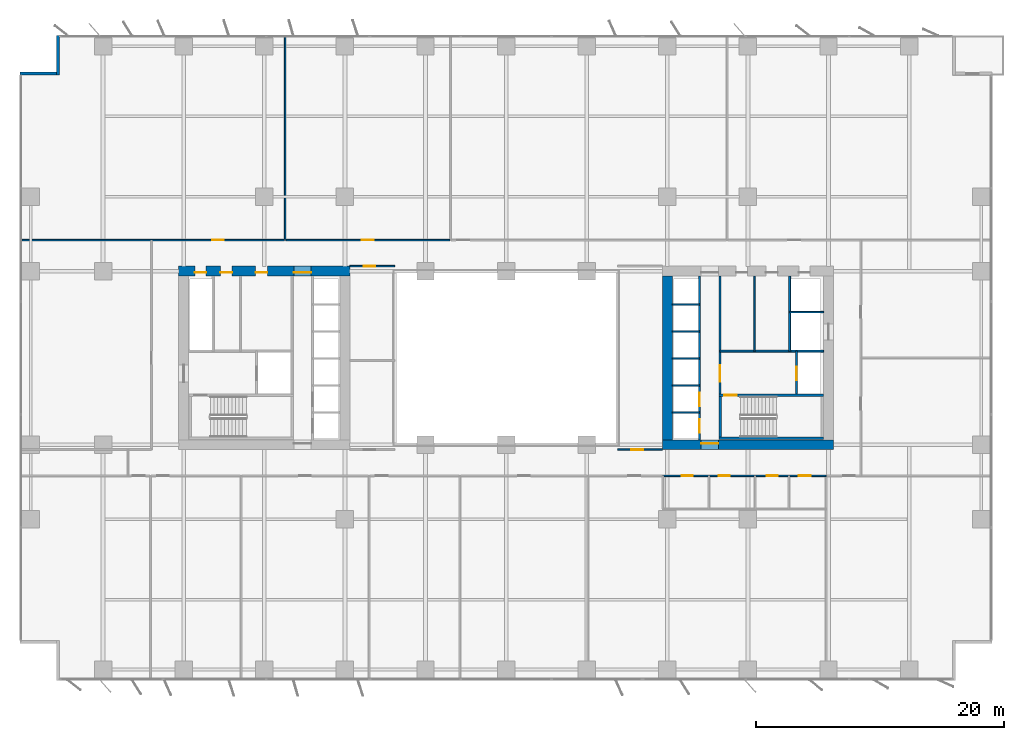
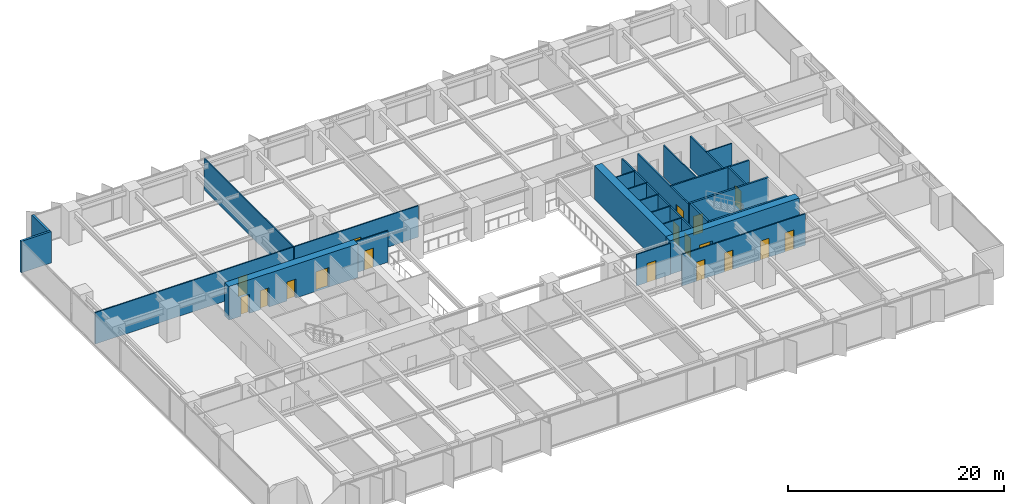
# One storey, part 14 of 20: 26 walls, 18 doors, 18 openings.
"""IFC4 building model written with IfcOpenShell, lengths in metres."""

from ifc_helpers import new_model, si_unit, direction, frame, frame_2d, origin, place, context, subcontext, project, spatial, rectangle, extrude, material, layer, layer_set, type_object, element, fill, save


model = new_model("IFC4")

# Units and contexts
model_context = context("Model", 3, precision=1e-05, world=origin(), true_north=direction((0.0, 1.0)))
body_context = subcontext(model_context, "Body", "Model", "MODEL_VIEW")
ifc_project = project(units=[si_unit("LENGTHUNIT", "METRE"), si_unit("AREAUNIT", "SQUARE_METRE"), si_unit("VOLUMEUNIT", "CUBIC_METRE"), si_unit("PLANEANGLEUNIT", "RADIAN"), si_unit("MASSUNIT", "GRAM", prefix="KILO")], contexts=[model_context])

# Site, building, storey
site_placement = place(None, origin())
site = spatial("IfcSite", under=ifc_project, at=site_placement, CompositionType="ELEMENT")
building_placement = place(site_placement, origin())
building = spatial("IfcBuilding", under=site, at=building_placement, Name="Putna Gate Headquarters", CompositionType="ELEMENT")
storey_placement = place(building_placement, frame((0.0, 0.0, 65.800048828125)))
storey = spatial("IfcBuildingStorey", under=building, at=storey_placement, Name="L15", CompositionType="ELEMENT", Elevation=65.800048828125)

# Wall, openings, doors
ifc_material_1 = material(Name="Concrete C60/75", Category="concrete")
ifc_layer_1 = layer(ifc_material_1, 0.800048828125)
ifc_layer_set_1 = layer_set([ifc_layer_1], Name="Concrete C60/75")
wall_type_1 = type_object("IfcWallType", Name="WALL-CORE-800", PredefinedType="SHEAR", material=ifc_layer_set_1)
wall_1_placement = place(storey_placement, frame((12.60009765625, 33.0, 0.0), z_axis=(0.0, 0.0, 1.0), x_axis=(1.0, 0.0, 0.0)))
wall_1 = element("IfcWall", 1, at=wall_1_placement, inside=storey, type_object=wall_type_1, Name="L15 WC Split Core Shear Wall N", PredefinedType="SHEAR", context=body_context, shape_type="SweptSolid", body=[
    extrude(rectangle(XDim=13.7998046875, YDim=0.800048828125, at=frame_2d((6.89990234375, 0.0))), origin(), (0.0, 0.0, 1.0), 3.800048828125),
])
opening_1_placement = place(wall_1_placement, frame((1.300048828125, 0.0, 0.0)))
opening_1 = element("IfcOpeningElement", 2, at=opening_1_placement, cuts=wall_1, Name="Opening RD-90", PredefinedType="OPENING", context=body_context, shape_type="SweptSolid", body=[
    extrude(rectangle(XDim=0.89990234375, YDim=2.14990234375, at=frame_2d((0.449951171875, 1.074951171875))), frame((0.0, 0.409912109375, 0.0), z_axis=(0.0, -1.0, 0.0), x_axis=(1.0, 0.0, 0.0)), (0.0, 0.0, 1.0), 0.820068359375),
])
opening_2_placement = place(wall_1_placement, frame((3.35009765625, 0.0, 0.0)))
opening_2 = element("IfcOpeningElement", 3, at=opening_2_placement, cuts=wall_1, Name="Opening IDS-95", PredefinedType="OPENING", context=body_context, shape_type="SweptSolid", body=[
    extrude(rectangle(XDim=0.949951171875, YDim=2.14990234375, at=frame_2d((0.47509765625, 1.074951171875))), frame((0.0, 0.409912109375, 0.0), z_axis=(0.0, -1.0, 0.0), x_axis=(1.0, 0.0, 0.0)), (0.0, 0.0, 1.0), 0.820068359375),
])
opening_3_placement = place(wall_1_placement, frame((6.199951171875, 0.0, 0.0)))
opening_3 = element("IfcOpeningElement", 4, at=opening_3_placement, cuts=wall_1, Name="Opening IDS-95", PredefinedType="OPENING", context=body_context, shape_type="SweptSolid", body=[
    extrude(rectangle(XDim=0.949951171875, YDim=2.14990234375, at=frame_2d((0.47509765625, 1.074951171875))), frame((0.0, 0.409912109375, 0.0), z_axis=(0.0, -1.0, 0.0), x_axis=(1.0, 0.0, 0.0)), (0.0, 0.0, 1.0), 0.820068359375),
])
opening_4_placement = place(wall_1_placement, frame((9.280029296875, 0.0, 0.0)))
opening_4 = element("IfcOpeningElement", 5, at=opening_4_placement, cuts=wall_1, Name="Opening FDD-140", PredefinedType="OPENING", context=body_context, shape_type="SweptSolid", body=[
    extrude(rectangle(XDim=1.39990234375, YDim=2.199951171875, at=frame_2d((0.699951171875, 1.10009765625))), frame((0.0, 0.409912109375, 0.0), z_axis=(0.0, -1.0, 0.0), x_axis=(1.0, 0.0, 0.0)), (0.0, 0.0, 1.0), 0.820068359375),
])
ifc_material_2 = material(Name="Double steel fire door", Category="steel")
door_type_1 = type_object("IfcDoorType", Name="DOOR-FIRE-DBL-1400", OperationType="DOUBLE_DOOR_SINGLE_SWING", PredefinedType="DOOR", material=ifc_material_2)
door_1_placement = place(opening_4_placement, origin())
door_1 = element("IfcDoor", 6, at=door_1_placement, inside=storey, type_object=door_type_1, Name="L15 West Lift Lobby North Door", OperationType="DOUBLE_DOOR_SINGLE_SWING", OverallHeight=2.199951171875, OverallWidth=1.39990234375, PredefinedType="DOOR", context=body_context, shape_type="SweptSolid", body=[
    extrude(rectangle(XDim=1.39990234375, YDim=2.199951171875, at=frame_2d((0.699951171875, 1.10009765625))), frame((0.0, -0.0751953125, 0.0), z_axis=(0.0, -1.0, 0.0), x_axis=(1.0, 0.0, 0.0)), (0.0, 0.0, 1.0), 0.050048828125),
])
fill(opening_4, door_1)
ifc_material_3 = material(Name="Fire-rated service timber door", Category="wood")
door_type_2 = type_object("IfcDoorType", Name="DOOR-INT-950", OperationType="NOTDEFINED", PredefinedType="DOOR", material=ifc_material_3)
door_2_placement = place(opening_2_placement, origin())
door_2 = element("IfcDoor", 7, at=door_2_placement, inside=storey, type_object=door_type_2, Name="L15 Archive Store Door", OperationType="SINGLE_SWING_LEFT", OverallHeight=2.14990234375, OverallWidth=0.949951171875, PredefinedType="DOOR", context=body_context, shape_type="SweptSolid", body=[
    extrude(rectangle(XDim=0.949951171875, YDim=2.14990234375, at=frame_2d((0.47509765625, 1.074951171875))), frame((0.0, -0.0751953125, 0.0), z_axis=(0.0, -1.0, 0.0), x_axis=(1.0, 0.0, 0.0)), (0.0, 0.0, 1.0), 0.050048828125),
])
fill(opening_2, door_2)
door_3_placement = place(opening_3_placement, origin())
door_3 = element("IfcDoor", 8, at=door_3_placement, inside=storey, type_object=door_type_2, Name="L15 Switchgear Plant Door", OperationType="SINGLE_SWING_RIGHT", OverallHeight=2.14990234375, OverallWidth=0.949951171875, PredefinedType="DOOR", context=body_context, shape_type="SweptSolid", body=[
    extrude(rectangle(XDim=0.949951171875, YDim=2.14990234375, at=frame_2d((0.47509765625, 1.074951171875))), frame((0.0, -0.0751953125, 0.0), z_axis=(0.0, -1.0, 0.0), x_axis=(1.0, 0.0, 0.0)), (0.0, 0.0, 1.0), 0.050048828125),
])
fill(opening_3, door_3)
ifc_material_4 = material(Name="Steel riser access fire door", Category="steel")
door_type_3 = type_object("IfcDoorType", Name="DOOR-RISER-900", OperationType="NOTDEFINED", PredefinedType="DOOR", material=ifc_material_4)
door_4_placement = place(opening_1_placement, origin())
door_4 = element("IfcDoor", 9, at=door_4_placement, inside=storey, type_object=door_type_3, Name="L15 West Riser Access Door", OperationType="SINGLE_SWING_RIGHT", OverallHeight=2.14990234375, OverallWidth=0.89990234375, PredefinedType="DOOR", context=body_context, shape_type="SweptSolid", body=[
    extrude(rectangle(XDim=0.89990234375, YDim=2.14990234375, at=frame_2d((0.449951171875, 1.074951171875))), frame((0.0, -0.0751953125, 0.0), z_axis=(0.0, -1.0, 0.0), x_axis=(1.0, 0.0, 0.0)), (0.0, 0.0, 1.0), 0.050048828125),
])
fill(opening_1, door_4)

# Wall, opening, door
wall_2_placement = place(storey_placement, frame((51.60009765625, 19.0, 0.0), z_axis=(0.0, 0.0, 1.0), x_axis=(1.0, 0.0, 0.0)))
wall_2 = element("IfcWall", 10, at=wall_2_placement, inside=storey, type_object=wall_type_1, Name="L15 EC Split Core Shear Wall S", PredefinedType="SHEAR", context=body_context, shape_type="SweptSolid", body=[
    extrude(rectangle(XDim=13.7998046875, YDim=0.800048828125, at=frame_2d((6.89990234375, 0.0))), origin(), (0.0, 0.0, 1.0), 3.800048828125),
])
opening_5_placement = place(wall_2_placement, frame((3.1201171875, 0.0, 0.0)))
opening_5 = element("IfcOpeningElement", 11, at=opening_5_placement, cuts=wall_2, Name="Opening FDD-140", PredefinedType="OPENING", context=body_context, shape_type="SweptSolid", body=[
    extrude(rectangle(XDim=1.39990234375, YDim=2.199951171875, at=frame_2d((0.699951171875, 1.10009765625))), frame((0.0, 0.409912109375, 0.0), z_axis=(0.0, -1.0, 0.0), x_axis=(1.0, 0.0, 0.0)), (0.0, 0.0, 1.0), 0.820068359375),
])
door_5_placement = place(opening_5_placement, origin())
door_5 = element("IfcDoor", 12, at=door_5_placement, inside=storey, type_object=door_type_1, Name="L15 East Lift Lobby South Door", OperationType="DOUBLE_DOOR_SINGLE_SWING", OverallHeight=2.199951171875, OverallWidth=1.39990234375, PredefinedType="DOOR", context=body_context, shape_type="SweptSolid", body=[
    extrude(rectangle(XDim=1.39990234375, YDim=2.199951171875, at=frame_2d((0.699951171875, 1.10009765625))), frame((0.0, 0.125, 0.0), z_axis=(0.0, -1.0, 0.0), x_axis=(1.0, 0.0, 0.0)), (0.0, 0.0, 1.0), 0.050048828125),
])
fill(opening_5, door_5)

# Walls
wall_3_placement = place(storey_placement, frame((52.0, 19.39990234375, 0.0), z_axis=(0.0, 0.0, 1.0), x_axis=(0.0, 1.0, 0.0)))
element("IfcWall", 13, at=wall_3_placement, inside=storey, type_object=wall_type_1, Name="L15 EC Split Core Shear Wall W", PredefinedType="SHEAR", context=body_context, shape_type="SweptSolid", body=[
    extrude(rectangle(XDim=13.2001953125, YDim=0.800048828125, at=frame_2d((6.60009765625, 0.0))), origin(), (0.0, 0.0, 1.0), 3.800048828125),
])
ifc_material_5 = material(Name="Precast concrete C40/50", Category="concrete")
ifc_layer_2 = layer(ifc_material_5, 0.239990234375)
ifc_layer_set_2 = layer_set([ifc_layer_2], Name="Precast concrete C40/50")
wall_type_2 = type_object("IfcWallType", Name="WALL-EXT-TERR-240", PredefinedType="STANDARD", material=ifc_layer_set_2)
for number, where, z_axis, x_axis, name in (
    (14, (2.8798828125, 48.800048828125, 0.0), (0.0, 0.0, 1.0), (0.0, 1.0, 0.0), "L15 Corner Notch Return Wall NW-V"),
    (15, (-0.199951171875, 48.919921875, 0.0), (0.0, 0.0, 1.0), (1.0, 0.0, 0.0), "L15 Corner Notch Return Wall NW-H"),
):
    element("IfcWall", number, at=place(storey_placement, frame(where, z_axis=z_axis, x_axis=x_axis)), inside=storey, type_object=wall_type_2, Name=name, PredefinedType="STANDARD", context=body_context, shape_type="SweptSolid", body=[
        extrude(rectangle(XDim=3.199951171875, YDim=0.239990234375, at=frame_2d((1.60009765625, 0.0))), origin(), (0.0, 0.0, 1.0), 3.550048828125),
    ])

# Wall, opening, door
ifc_material_6 = material(Name="Acoustic gypsum board on metal stud")
ifc_layer_3 = layer(ifc_material_6, 0.1201171875)
ifc_layer_set_3 = layer_set([ifc_layer_3], Name="Acoustic gypsum board on metal stud")
wall_type_3 = type_object("IfcWallType", Name="WALL-PART-120", PredefinedType="PARTITIONING", material=ifc_layer_set_3)
wall_4_placement = place(storey_placement, frame((26.39990234375, 33.39990234375, 0.0), z_axis=(0.0, 0.0, 1.0), x_axis=(1.0, 0.0, 0.0)))
wall_4 = element("IfcWall", 16, at=wall_4_placement, inside=storey, type_object=wall_type_3, Name="L15 Interior Wall PART-L15-ATR-W-N", PredefinedType="PARTITIONING", context=body_context, shape_type="SweptSolid", body=[
    extrude(rectangle(XDim=3.60009765625, YDim=0.1201171875, at=frame_2d((1.800048828125, 0.0))), origin(), (0.0, 0.0, 1.0), 3.550048828125),
])
opening_6_placement = place(wall_4_placement, frame((1.10009765625, 0.0, 0.0)))
opening_6 = element("IfcOpeningElement", 17, at=opening_6_placement, cuts=wall_4, Name="Opening ID-95", PredefinedType="OPENING", context=body_context, shape_type="SweptSolid", body=[
    extrude(rectangle(XDim=0.949951171875, YDim=2.14990234375, at=frame_2d((0.47509765625, 1.074951171875))), frame((0.0, 0.070068359375, 0.0), z_axis=(0.0, -1.0, 0.0), x_axis=(1.0, 0.0, 0.0)), (0.0, 0.0, 1.0), 0.14013671875),
])
ifc_material_7 = material(Name="Veneered acoustic timber door", Category="wood")
door_type_4 = type_object("IfcDoorType", Name="DOOR-OFF-950", OperationType="NOTDEFINED", PredefinedType="DOOR", material=ifc_material_7)
door_6_placement = place(opening_6_placement, origin())
door_6 = element("IfcDoor", 18, at=door_6_placement, inside=storey, type_object=door_type_4, Name="L15 West Atrium North Study Door", OperationType="SINGLE_SWING_RIGHT", OverallHeight=2.14990234375, OverallWidth=0.949951171875, PredefinedType="DOOR", context=body_context, shape_type="SweptSolid", body=[
    extrude(rectangle(XDim=0.949951171875, YDim=2.14990234375, at=frame_2d((0.47509765625, 1.074951171875))), frame((0.0, 0.02490234375, 0.0), z_axis=(0.0, -1.0, 0.0), x_axis=(1.0, 0.0, 0.0)), (0.0, 0.0, 1.0), 0.050048828125),
])
fill(opening_6, door_6)

wall_5_placement = place(storey_placement, frame((48.0, 18.60009765625, 0.0), z_axis=(0.0, 0.0, 1.0), x_axis=(1.0, 0.0, 0.0)))
wall_5 = element("IfcWall", 19, at=wall_5_placement, inside=storey, type_object=wall_type_3, Name="L15 Interior Wall PART-L15-ATR-E-S", PredefinedType="PARTITIONING", context=body_context, shape_type="SweptSolid", body=[
    extrude(rectangle(XDim=3.60009765625, YDim=0.1201171875, at=frame_2d((1.800048828125, 0.0))), origin(), (0.0, 0.0, 1.0), 3.550048828125),
])
opening_7_placement = place(wall_5_placement, frame((1.10009765625, 0.0, 0.0)))
opening_7 = element("IfcOpeningElement", 20, at=opening_7_placement, cuts=wall_5, Name="Opening ID-95", PredefinedType="OPENING", context=body_context, shape_type="SweptSolid", body=[
    extrude(rectangle(XDim=0.949951171875, YDim=2.14990234375, at=frame_2d((0.47509765625, 1.074951171875))), frame((0.0, 0.070068359375, 0.0), z_axis=(0.0, -1.0, 0.0), x_axis=(1.0, 0.0, 0.0)), (0.0, 0.0, 1.0), 0.14013671875),
])
door_7_placement = place(opening_7_placement, origin())
door_7 = element("IfcDoor", 21, at=door_7_placement, inside=storey, type_object=door_type_4, Name="L15 East Atrium Gallery Lounge Door", OperationType="SINGLE_SWING_LEFT", OverallHeight=2.14990234375, OverallWidth=0.949951171875, PredefinedType="DOOR", context=body_context, shape_type="SweptSolid", body=[
    extrude(rectangle(XDim=0.949951171875, YDim=2.14990234375, at=frame_2d((0.47509765625, 1.074951171875))), frame((0.0, 0.02490234375, 0.0), z_axis=(0.0, -1.0, 0.0), x_axis=(1.0, 0.0, 0.0)), (0.0, 0.0, 1.0), 0.050048828125),
])
fill(opening_7, door_7)

# Walls
wall_6_placement = place(storey_placement, frame((21.17578125, 35.56005859375, 0.0), z_axis=(0.0, 0.0, 1.0), x_axis=(0.0, 1.0, 0.0)))
element("IfcWall", 22, at=wall_6_placement, inside=storey, type_object=wall_type_3, Name="L15 Interior Wall PART-L15-NB-DIV-01", PredefinedType="PARTITIONING", context=body_context, shape_type="SweptSolid", body=[
    extrude(rectangle(XDim=16.419921875, YDim=0.1201171875, at=frame_2d((8.2099609375, 0.0))), origin(), (0.0, 0.0, 1.0), 3.550048828125),
])
ifc_material_8 = material(Name="Fire-rated shaftwall gypsum board on metal stud")
ifc_layer_4 = layer(ifc_material_8, 0.1201171875)
ifc_layer_set_4 = layer_set([ifc_layer_4], Name="Fire-rated shaftwall gypsum board on metal stud")
wall_type_4 = type_object("IfcWallType", Name="WALL-PART-120-EI120", PredefinedType="PARTITIONING", material=ifc_layer_set_4)
for number, where, z_axis, x_axis, name in (
    (23, (52.39990234375, 21.610107421875, 0.0), (0.0, 0.0, 1.0), (1.0, 0.0, 0.0), "L15 Interior Wall CWINT-L15-EC-LF03-DIV"),
    (24, (52.39990234375, 23.780029296875, 0.0), (0.0, 0.0, 1.0), (1.0, 0.0, 0.0), "L15 Interior Wall CWINT-L15-EC-LF04-DIV"),
    (25, (52.39990234375, 25.949951171875, 0.0), (0.0, 0.0, 1.0), (1.0, 0.0, 0.0), "L15 Interior Wall CWINT-L15-EC-LF07-DIV"),
    (26, (52.39990234375, 28.1201171875, 0.0), (0.0, 0.0, 1.0), (1.0, 0.0, 0.0), "L15 Interior Wall CWINT-L15-EC-LF08-DIV"),
    (27, (52.39990234375, 30.31005859375, 0.0), (0.0, 0.0, 1.0), (1.0, 0.0, 0.0), "L15 Interior Wall CWINT-L15-EC-LF11-DIV"),
):
    element("IfcWall", number, at=place(storey_placement, frame(where, z_axis=z_axis, x_axis=x_axis)), inside=storey, type_object=wall_type_4, Name=name, PredefinedType="PARTITIONING", context=body_context, shape_type="SweptSolid", body=[
        extrude(rectangle(XDim=2.2001953125, YDim=0.1201171875, at=frame_2d((1.10009765625, 0.0))), origin(), (0.0, 0.0, 1.0), 3.550048828125),
    ])
wall_7_placement = place(storey_placement, frame((61.8701171875, 29.699951171875, 0.0), z_axis=(0.0, 0.0, 1.0), x_axis=(1.0, 0.0, 0.0)))
element("IfcWall", 28, at=wall_7_placement, inside=storey, type_object=wall_type_4, Name="L15 Interior Wall CWINT-L15-EC-LF15-N", PredefinedType="PARTITIONING", context=body_context, shape_type="SweptSolid", body=[
    extrude(rectangle(XDim=2.72998046875, YDim=0.1201171875, at=frame_2d((1.364990234375, 0.0))), origin(), (0.0, 0.0, 1.0), 3.550048828125),
])
ifc_material_9 = material(Name="Fire-rated gypsum board on metal stud")
ifc_layer_5 = layer(ifc_material_9, 0.1201171875)
ifc_layer_set_5 = layer_set([ifc_layer_5], Name="Fire-rated gypsum board on metal stud")
wall_type_5 = type_object("IfcWallType", Name="WALL-PART-120-RATED", PredefinedType="PARTITIONING", material=ifc_layer_set_5)
wall_8_placement = place(storey_placement, frame((59.02001953125, 26.56005859375, 0.0), z_axis=(0.0, 0.0, 1.0), x_axis=(0.0, 1.0, 0.0)))
element("IfcWall", 29, at=wall_8_placement, inside=storey, type_object=wall_type_5, Name="L15 Interior Wall CWINT-L15-EC-K1-DIV", PredefinedType="PARTITIONING", context=body_context, shape_type="SweptSolid", body=[
    extrude(rectangle(XDim=6.0400390625, YDim=0.1201171875, at=frame_2d((3.02001953125, 0.0))), origin(), (0.0, 0.0, 1.0), 3.550048828125),
])

# Wall, openings, doors
wall_9_placement = place(storey_placement, frame((51.639892578125, 16.5, 0.0), z_axis=(0.0, 0.0, 1.0), x_axis=(1.0, 0.0, 0.0)))
wall_9 = element("IfcWall", 30, at=wall_9_placement, inside=storey, type_object=wall_type_5, Name="L15 Interior Wall PART-L15-SAN-CW", PredefinedType="PARTITIONING", context=body_context, shape_type="SweptSolid", body=[
    extrude(rectangle(XDim=13.16015625, YDim=0.1201171875, at=frame_2d((6.580078125, 0.0))), origin(), (0.0, 0.0, 1.0), 3.550048828125),
])
opening_8_placement = place(wall_9_placement, frame((1.510009765625, 0.0, 0.0)))
opening_8 = element("IfcOpeningElement", 31, at=opening_8_placement, cuts=wall_9, Name="Opening FD-90", PredefinedType="OPENING", context=body_context, shape_type="SweptSolid", body=[
    extrude(rectangle(XDim=0.89990234375, YDim=2.14990234375, at=frame_2d((0.449951171875, 1.074951171875))), frame((0.0, 0.070068359375, 0.0), z_axis=(0.0, -1.0, 0.0), x_axis=(1.0, 0.0, 0.0)), (0.0, 0.0, 1.0), 0.14013671875),
])
opening_9_placement = place(wall_9_placement, frame((4.510009765625, 0.0, 0.0)))
opening_9 = element("IfcOpeningElement", 32, at=opening_9_placement, cuts=wall_9, Name="Opening FD-90", PredefinedType="OPENING", context=body_context, shape_type="SweptSolid", body=[
    extrude(rectangle(XDim=0.89990234375, YDim=2.14990234375, at=frame_2d((0.449951171875, 1.074951171875))), frame((0.0, 0.070068359375, 0.0), z_axis=(0.0, -1.0, 0.0), x_axis=(1.0, 0.0, 0.0)), (0.0, 0.0, 1.0), 0.14013671875),
])
opening_10_placement = place(wall_9_placement, frame((8.360107421875, 0.0, 0.0)))
opening_10 = element("IfcOpeningElement", 33, at=opening_10_placement, cuts=wall_9, Name="Opening FD-90", PredefinedType="OPENING", context=body_context, shape_type="SweptSolid", body=[
    extrude(rectangle(XDim=0.89990234375, YDim=2.14990234375, at=frame_2d((0.449951171875, 1.074951171875))), frame((0.0, 0.070068359375, 0.0), z_axis=(0.0, -1.0, 0.0), x_axis=(1.0, 0.0, 0.0)), (0.0, 0.0, 1.0), 0.14013671875),
])
opening_11_placement = place(wall_9_placement, frame((10.9599609375, 0.0, 0.0)))
opening_11 = element("IfcOpeningElement", 34, at=opening_11_placement, cuts=wall_9, Name="Opening FD-95", PredefinedType="OPENING", context=body_context, shape_type="SweptSolid", body=[
    extrude(rectangle(XDim=0.949951171875, YDim=2.14990234375, at=frame_2d((0.47509765625, 1.074951171875))), frame((0.0, 0.070068359375, 0.0), z_axis=(0.0, -1.0, 0.0), x_axis=(1.0, 0.0, 0.0)), (0.0, 0.0, 1.0), 0.14013671875),
])
ifc_material_10 = material(Name="Acoustic washroom fire door")
door_type_5 = type_object("IfcDoorType", Name="DOOR-FIRE-900", OperationType="NOTDEFINED", PredefinedType="DOOR", material=ifc_material_10)
door_8_placement = place(opening_8_placement, origin())
door_8 = element("IfcDoor", 35, at=door_8_placement, inside=storey, type_object=door_type_5, Name="L15 Washroom Male Door", OperationType="SINGLE_SWING_RIGHT", OverallHeight=2.14990234375, OverallWidth=0.89990234375, PredefinedType="DOOR", context=body_context, shape_type="SweptSolid", body=[
    extrude(rectangle(XDim=0.89990234375, YDim=2.14990234375, at=frame_2d((0.449951171875, 1.074951171875))), frame((0.0, 0.02490234375, 0.0), z_axis=(0.0, -1.0, 0.0), x_axis=(1.0, 0.0, 0.0)), (0.0, 0.0, 1.0), 0.050048828125),
])
fill(opening_8, door_8)
door_9_placement = place(opening_9_placement, origin())
door_9 = element("IfcDoor", 36, at=door_9_placement, inside=storey, type_object=door_type_5, Name="L15 Washroom Female Door", OperationType="SINGLE_SWING_LEFT", OverallHeight=2.14990234375, OverallWidth=0.89990234375, PredefinedType="DOOR", context=body_context, shape_type="SweptSolid", body=[
    extrude(rectangle(XDim=0.89990234375, YDim=2.14990234375, at=frame_2d((0.449951171875, 1.074951171875))), frame((0.0, 0.02490234375, 0.0), z_axis=(0.0, -1.0, 0.0), x_axis=(1.0, 0.0, 0.0)), (0.0, 0.0, 1.0), 0.050048828125),
])
fill(opening_9, door_9)
door_10_placement = place(opening_10_placement, origin())
door_10 = element("IfcDoor", 37, at=door_10_placement, inside=storey, type_object=door_type_5, Name="L15 Accessible WC Door", OperationType="SINGLE_SWING_RIGHT", OverallHeight=2.14990234375, OverallWidth=0.89990234375, PredefinedType="DOOR", context=body_context, shape_type="SweptSolid", body=[
    extrude(rectangle(XDim=0.89990234375, YDim=2.14990234375, at=frame_2d((0.449951171875, 1.074951171875))), frame((0.0, 0.02490234375, 0.0), z_axis=(0.0, -1.0, 0.0), x_axis=(1.0, 0.0, 0.0)), (0.0, 0.0, 1.0), 0.050048828125),
])
fill(opening_10, door_10)
ifc_material_11 = material(Name="Acoustic timber fire door", Category="wood")
door_type_6 = type_object("IfcDoorType", Name="DOOR-FIRE-950", OperationType="NOTDEFINED", PredefinedType="DOOR", material=ifc_material_11)
door_11_placement = place(opening_11_placement, origin())
door_11 = element("IfcDoor", 38, at=door_11_placement, inside=storey, type_object=door_type_6, Name="L15 Staff Pantry and Tea Point Door", OperationType="SINGLE_SWING_LEFT", OverallHeight=2.14990234375, OverallWidth=0.949951171875, PredefinedType="DOOR", context=body_context, shape_type="SweptSolid", body=[
    extrude(rectangle(XDim=0.949951171875, YDim=2.14990234375, at=frame_2d((0.47509765625, 1.074951171875))), frame((0.0, 0.02490234375, 0.0), z_axis=(0.0, -1.0, 0.0), x_axis=(1.0, 0.0, 0.0)), (0.0, 0.0, 1.0), 0.050048828125),
])
fill(opening_11, door_11)

# Wall, opening, door
wall_10_placement = place(storey_placement, frame((-0.02001953125, 35.5, 0.0), z_axis=(0.0, 0.0, 1.0), x_axis=(1.0, 0.0, 0.0)))
wall_10 = element("IfcWall", 39, at=wall_10_placement, inside=storey, type_object=wall_type_5, Name="L15 Interior Wall PART-L15-NB-CW-01", PredefinedType="PARTITIONING", context=body_context, shape_type="SweptSolid", body=[
    extrude(rectangle(XDim=21.1357421875, YDim=0.1201171875, at=frame_2d((10.56787109375, 0.0))), origin(), (0.0, 0.0, 1.0), 3.550048828125),
])
opening_12_placement = place(wall_10_placement, frame((15.302978515625, 0.0, 0.0)))
opening_12 = element("IfcOpeningElement", 40, at=opening_12_placement, cuts=wall_10, Name="Opening FD-95", PredefinedType="OPENING", context=body_context, shape_type="SweptSolid", body=[
    extrude(rectangle(XDim=0.949951171875, YDim=2.14990234375, at=frame_2d((0.47509765625, 1.074951171875))), frame((0.0, 0.070068359375, 0.0), z_axis=(0.0, -1.0, 0.0), x_axis=(1.0, 0.0, 0.0)), (0.0, 0.0, 1.0), 0.14013671875),
])
door_12_placement = place(opening_12_placement, origin())
door_12 = element("IfcDoor", 41, at=door_12_placement, inside=storey, type_object=door_type_6, Name="L15 Quiet Wellness Focus Studio 2 Door", OperationType="SINGLE_SWING_RIGHT", OverallHeight=2.14990234375, OverallWidth=0.949951171875, PredefinedType="DOOR", context=body_context, shape_type="SweptSolid", body=[
    extrude(rectangle(XDim=0.949951171875, YDim=2.14990234375, at=frame_2d((0.47509765625, 1.074951171875))), frame((0.0, 0.02490234375, 0.0), z_axis=(0.0, -1.0, 0.0), x_axis=(1.0, 0.0, 0.0)), (0.0, 0.0, 1.0), 0.050048828125),
])
fill(opening_12, door_12)

wall_11_placement = place(storey_placement, frame((21.235595703125, 35.5, 0.0), z_axis=(0.0, 0.0, 1.0), x_axis=(1.0, 0.0, 0.0)))
wall_11 = element("IfcWall", 42, at=wall_11_placement, inside=storey, type_object=wall_type_5, Name="L15 Interior Wall PART-L15-NB-CW-02", PredefinedType="PARTITIONING", context=body_context, shape_type="SweptSolid", body=[
    extrude(rectangle(XDim=13.232666015625, YDim=0.1201171875, at=frame_2d((6.6162109375, 0.0))), origin(), (0.0, 0.0, 1.0), 3.550048828125),
])
opening_13_placement = place(wall_11_placement, frame((6.141357421875, 0.0, 0.0)))
opening_13 = element("IfcOpeningElement", 43, at=opening_13_placement, cuts=wall_11, Name="Opening FD-95", PredefinedType="OPENING", context=body_context, shape_type="SweptSolid", body=[
    extrude(rectangle(XDim=0.949951171875, YDim=2.14990234375, at=frame_2d((0.47509765625, 1.074951171875))), frame((0.0, 0.070068359375, 0.0), z_axis=(0.0, -1.0, 0.0), x_axis=(1.0, 0.0, 0.0)), (0.0, 0.0, 1.0), 0.14013671875),
])
door_13_placement = place(opening_13_placement, origin())
door_13 = element("IfcDoor", 44, at=door_13_placement, inside=storey, type_object=door_type_6, Name="L15 Conference Meeting Room 2 Door", OperationType="SINGLE_SWING_LEFT", OverallHeight=2.14990234375, OverallWidth=0.949951171875, PredefinedType="DOOR", context=body_context, shape_type="SweptSolid", body=[
    extrude(rectangle(XDim=0.949951171875, YDim=2.14990234375, at=frame_2d((0.47509765625, 1.074951171875))), frame((0.0, 0.02490234375, 0.0), z_axis=(0.0, -1.0, 0.0), x_axis=(1.0, 0.0, 0.0)), (0.0, 0.0, 1.0), 0.050048828125),
])
fill(opening_13, door_13)

# Wall, openings, doors
ifc_material_12 = material(Name="Concrete C40/50", Category="concrete")
ifc_layer_6 = layer(ifc_material_12, 0.159912109375)
ifc_layer_set_6 = layer_set([ifc_layer_6], Name="Concrete C40/50")
wall_type_6 = type_object("IfcWallType", Name="WALL-SHAFT-160", PredefinedType="STANDARD", material=ifc_layer_set_6)
wall_12_placement = place(storey_placement, frame((54.60009765625, 19.39990234375, 0.0), z_axis=(0.0, 0.0, 1.0), x_axis=(0.0, 1.0, 0.0)))
wall_12 = element("IfcWall", 45, at=wall_12_placement, inside=storey, type_object=wall_type_6, Name="L15 Interior Wall CWINT-L15-EC-PL-WALL", PredefinedType="STANDARD", context=body_context, shape_type="SweptSolid", body=[
    extrude(rectangle(XDim=13.2001953125, YDim=0.159912109375, at=frame_2d((6.60009765625, 0.0))), origin(), (0.0, 0.0, 1.0), 3.550048828125),
])
opening_14_placement = place(wall_12_placement, frame((0.550048828125, 0.0, 0.0)))
opening_14 = element("IfcOpeningElement", 46, at=opening_14_placement, cuts=wall_12, Name="Opening LD-1", PredefinedType="OPENING", context=body_context, shape_type="SweptSolid", body=[
    extrude(rectangle(XDim=1.10009765625, YDim=2.199951171875, at=frame_2d((0.550048828125, 1.10009765625))), frame((0.0, 0.08984375, 0.0), z_axis=(0.0, -1.0, 0.0), x_axis=(1.0, 0.0, 0.0)), (0.0, 0.0, 1.0), 0.179931640625),
])
opening_15_placement = place(wall_12_placement, frame((2.699951171875, 0.0, 0.0)))
opening_15 = element("IfcOpeningElement", 47, at=opening_15_placement, cuts=wall_12, Name="Opening LD-1", PredefinedType="OPENING", context=body_context, shape_type="SweptSolid", body=[
    extrude(rectangle(XDim=1.10009765625, YDim=2.199951171875, at=frame_2d((0.550048828125, 1.10009765625))), frame((0.0, 0.08984375, 0.0), z_axis=(0.0, -1.0, 0.0), x_axis=(1.0, 0.0, 0.0)), (0.0, 0.0, 1.0), 0.179931640625),
])
ifc_material_13 = material(Name="Brushed bronze stainless lift landing door")
door_type_7 = type_object("IfcDoorType", Name="DOOR-LIFT-1100", OperationType="DOUBLE_DOOR_SLIDING", PredefinedType="DOOR", material=ifc_material_13)
door_14_placement = place(opening_14_placement, origin())
door_14 = element("IfcDoor", 48, at=door_14_placement, inside=storey, type_object=door_type_7, Name="L15 Lift Landing Door LD-03", OperationType="DOUBLE_DOOR_SLIDING", OverallHeight=2.199951171875, OverallWidth=1.10009765625, PredefinedType="DOOR", context=body_context, shape_type="SweptSolid", body=[
    extrude(rectangle(XDim=1.10009765625, YDim=2.199951171875, at=frame_2d((0.550048828125, 1.10009765625))), frame((0.0, 0.02490234375, 0.0), z_axis=(0.0, -1.0, 0.0), x_axis=(1.0, 0.0, 0.0)), (0.0, 0.0, 1.0), 0.050048828125),
])
fill(opening_14, door_14)
door_15_placement = place(opening_15_placement, origin())
door_15 = element("IfcDoor", 49, at=door_15_placement, inside=storey, type_object=door_type_7, Name="L15 Lift Landing Door LD-04", OperationType="DOUBLE_DOOR_SLIDING", OverallHeight=2.199951171875, OverallWidth=1.10009765625, PredefinedType="DOOR", context=body_context, shape_type="SweptSolid", body=[
    extrude(rectangle(XDim=1.10009765625, YDim=2.199951171875, at=frame_2d((0.550048828125, 1.10009765625))), frame((0.0, 0.02490234375, 0.0), z_axis=(0.0, -1.0, 0.0), x_axis=(1.0, 0.0, 0.0)), (0.0, 0.0, 1.0), 0.050048828125),
])
fill(opening_15, door_15)

# Wall, opening, door
wall_13_placement = place(storey_placement, frame((56.260009765625, 23.090087890625, 0.0), z_axis=(0.0, 0.0, 1.0), x_axis=(0.0, 1.0, 0.0)))
wall_13 = element("IfcWall", 50, at=wall_13_placement, inside=storey, type_object=wall_type_6, Name="L15 Interior Wall CWINT-L15-EC-LOB-E", PredefinedType="STANDARD", context=body_context, shape_type="SweptSolid", body=[
    extrude(rectangle(XDim=9.510009765625, YDim=0.159912109375, at=frame_2d((4.7548828125, 0.0))), origin(), (0.0, 0.0, 1.0), 3.550048828125),
])
opening_16_placement = place(wall_13_placement, frame((1.010009765625, 0.0, 0.0)))
opening_16 = element("IfcOpeningElement", 51, at=opening_16_placement, cuts=wall_13, Name="Opening FDD-130", PredefinedType="OPENING", context=body_context, shape_type="SweptSolid", body=[
    extrude(rectangle(XDim=1.300048828125, YDim=2.199951171875, at=frame_2d((0.64990234375, 1.10009765625))), frame((0.0, 0.08984375, 0.0), z_axis=(0.0, -1.0, 0.0), x_axis=(1.0, 0.0, 0.0)), (0.0, 0.0, 1.0), 0.179931640625),
])
ifc_material_14 = material(Name="Double steel lobby fire door", Category="steel")
door_type_8 = type_object("IfcDoorType", Name="DOOR-FIRE-DBL-1300", OperationType="DOUBLE_DOOR_SINGLE_SWING", PredefinedType="DOOR", material=ifc_material_14)
door_16_placement = place(opening_16_placement, origin())
door_16 = element("IfcDoor", 52, at=door_16_placement, inside=storey, type_object=door_type_8, Name="L15 East Firefighting Lobby Door", OperationType="DOUBLE_DOOR_SINGLE_SWING", OverallHeight=2.199951171875, OverallWidth=1.300048828125, PredefinedType="DOOR", context=body_context, shape_type="SweptSolid", body=[
    extrude(rectangle(XDim=1.300048828125, YDim=2.199951171875, at=frame_2d((0.64990234375, 1.10009765625))), frame((0.0, 0.02490234375, 0.0), z_axis=(0.0, -1.0, 0.0), x_axis=(1.0, 0.0, 0.0)), (0.0, 0.0, 1.0), 0.050048828125),
])
fill(opening_16, door_16)

wall_14_placement = place(storey_placement, frame((62.429931640625, 23.090087890625, 0.0), z_axis=(0.0, 0.0, 1.0), x_axis=(0.0, 1.0, 0.0)))
wall_14 = element("IfcWall", 53, at=wall_14_placement, inside=storey, type_object=wall_type_6, Name="L15 Interior Wall CWINT-L15-EC-LF14-W", PredefinedType="STANDARD", context=body_context, shape_type="SweptSolid", body=[
    extrude(rectangle(XDim=3.469970703125, YDim=0.159912109375, at=frame_2d((1.73486328125, 0.0))), origin(), (0.0, 0.0, 1.0), 3.550048828125),
])
opening_17_placement = place(wall_14_placement, frame((1.10009765625, 0.0, 0.0)))
opening_17 = element("IfcOpeningElement", 54, at=opening_17_placement, cuts=wall_14, Name="Opening LD-1", PredefinedType="OPENING", context=body_context, shape_type="SweptSolid", body=[
    extrude(rectangle(XDim=1.10009765625, YDim=2.199951171875, at=frame_2d((0.550048828125, 1.10009765625))), frame((0.0, 0.08984375, 0.0), z_axis=(0.0, -1.0, 0.0), x_axis=(1.0, 0.0, 0.0)), (0.0, 0.0, 1.0), 0.179931640625),
])
door_17_placement = place(opening_17_placement, origin())
door_17 = element("IfcDoor", 55, at=door_17_placement, inside=storey, type_object=door_type_7, Name="L15 Lift Landing Door LD-14", OperationType="DOUBLE_DOOR_SLIDING", OverallHeight=2.199951171875, OverallWidth=1.10009765625, PredefinedType="DOOR", context=body_context, shape_type="SweptSolid", body=[
    extrude(rectangle(XDim=1.10009765625, YDim=2.199951171875, at=frame_2d((0.550048828125, 1.10009765625))), frame((0.0, 0.02490234375, 0.0), z_axis=(0.0, -1.0, 0.0), x_axis=(1.0, 0.0, 0.0)), (0.0, 0.0, 1.0), 0.050048828125),
])
fill(opening_17, door_17)

# Walls
wall_15_placement = place(storey_placement, frame((56.260009765625, 26.56005859375, 0.0), z_axis=(0.0, 0.0, 1.0), x_axis=(1.0, 0.0, 0.0)))
element("IfcWall", 56, at=wall_15_placement, inside=storey, type_object=wall_type_6, Name="L15 Interior Wall CWINT-L15-EC-FFL-N", PredefinedType="STANDARD", context=body_context, shape_type="SweptSolid", body=[
    extrude(rectangle(XDim=8.340087890625, YDim=0.159912109375, at=frame_2d((4.169921875, 0.0))), origin(), (0.0, 0.0, 1.0), 3.550048828125),
])
wall_16_placement = place(storey_placement, frame((61.8701171875, 26.56005859375, 0.0), z_axis=(0.0, 0.0, 1.0), x_axis=(0.0, 1.0, 0.0)))
element("IfcWall", 57, at=wall_16_placement, inside=storey, type_object=wall_type_6, Name="L15 Interior Wall CWINT-L15-EC-LF15-W", PredefinedType="STANDARD", context=body_context, shape_type="SweptSolid", body=[
    extrude(rectangle(XDim=6.0400390625, YDim=0.159912109375, at=frame_2d((3.02001953125, 0.0))), origin(), (0.0, 0.0, 1.0), 3.550048828125),
])
ifc_layer_7 = layer(ifc_material_12, 0.199951171875)
ifc_layer_set_7 = layer_set([ifc_layer_7], Name="Concrete C40/50")
wall_type_7 = type_object("IfcWallType", Name="WALL-SHAFT-RC200", PredefinedType="SHEAR", material=ifc_layer_set_7)
wall_17_placement = place(storey_placement, frame((56.159912109375, 19.510009765625, 0.0), z_axis=(0.0, 0.0, 1.0), x_axis=(1.0, 0.0, 0.0)))
element("IfcWall", 58, at=wall_17_placement, inside=storey, type_object=wall_type_7, Name="L15 Stair ST2 Structural Shaft Wall S", PredefinedType="SHEAR", context=body_context, shape_type="SweptSolid", body=[
    extrude(rectangle(XDim=8.43017578125, YDim=0.199951171875, at=frame_2d((4.215087890625, 0.0))), origin(), (0.0, 0.0, 1.0), 3.800048828125),
])

# Wall, opening, door
wall_18_placement = place(storey_placement, frame((56.159912109375, 22.989990234375, 0.0), z_axis=(0.0, 0.0, 1.0), x_axis=(1.0, 0.0, 0.0)))
wall_18 = element("IfcWall", 59, at=wall_18_placement, inside=storey, type_object=wall_type_7, Name="L15 Stair ST2 Structural Shaft Wall N", PredefinedType="SHEAR", context=body_context, shape_type="SweptSolid", body=[
    extrude(rectangle(XDim=8.43017578125, YDim=0.199951171875, at=frame_2d((4.215087890625, 0.0))), origin(), (0.0, 0.0, 1.0), 3.800048828125),
])
opening_18_placement = place(wall_18_placement, frame((0.449951171875, 0.0, 0.0)))
opening_18 = element("IfcOpeningElement", 60, at=opening_18_placement, cuts=wall_18, Name="Opening FD-100", PredefinedType="OPENING", context=body_context, shape_type="SweptSolid", body=[
    extrude(rectangle(XDim=1.0, YDim=2.14990234375, at=frame_2d((0.5, 1.074951171875))), frame((0.0, 0.10986328125, 0.0), z_axis=(0.0, -1.0, 0.0), x_axis=(1.0, 0.0, 0.0)), (0.0, 0.0, 1.0), 0.219970703125),
])
ifc_material_15 = material(Name="Powder-coated steel fire door", Category="steel")
door_type_9 = type_object("IfcDoorType", Name="DOOR-FIRE-1000", OperationType="NOTDEFINED", PredefinedType="DOOR", material=ifc_material_15)
door_18_placement = place(opening_18_placement, origin())
door_18 = element("IfcDoor", 61, at=door_18_placement, inside=storey, type_object=door_type_9, Name="L15 Stair ST2 Fire Door", OperationType="SINGLE_SWING_RIGHT", OverallHeight=2.14990234375, OverallWidth=1.0, PredefinedType="DOOR", context=body_context, shape_type="SweptSolid", body=[
    extrude(rectangle(XDim=1.0, YDim=2.14990234375, at=frame_2d((0.5, 1.074951171875))), frame((0.0, 0.02490234375, 0.0), z_axis=(0.0, -1.0, 0.0), x_axis=(1.0, 0.0, 0.0)), (0.0, 0.0, 1.0), 0.050048828125),
])
fill(opening_18, door_18)

# Wall
wall_19_placement = place(storey_placement, frame((56.260009765625, 19.610107421875, 0.0), z_axis=(0.0, 0.0, 1.0), x_axis=(0.0, 1.0, 0.0)))
element("IfcWall", 62, at=wall_19_placement, inside=storey, type_object=wall_type_7, Name="L15 Stair ST2 Structural Shaft Wall W", PredefinedType="SHEAR", context=body_context, shape_type="SweptSolid", body=[
    extrude(rectangle(XDim=3.27978515625, YDim=0.199951171875, at=frame_2d((1.639892578125, 0.0))), origin(), (0.0, 0.0, 1.0), 3.800048828125),
])

save(model, "model.ifc")
